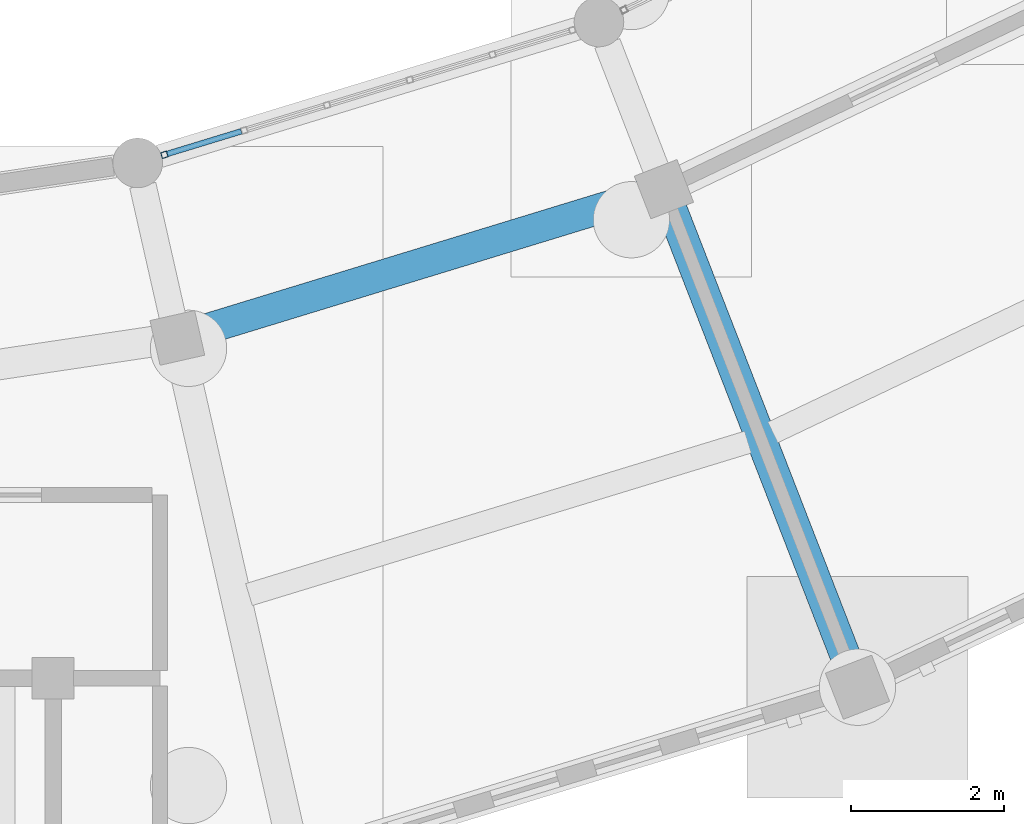
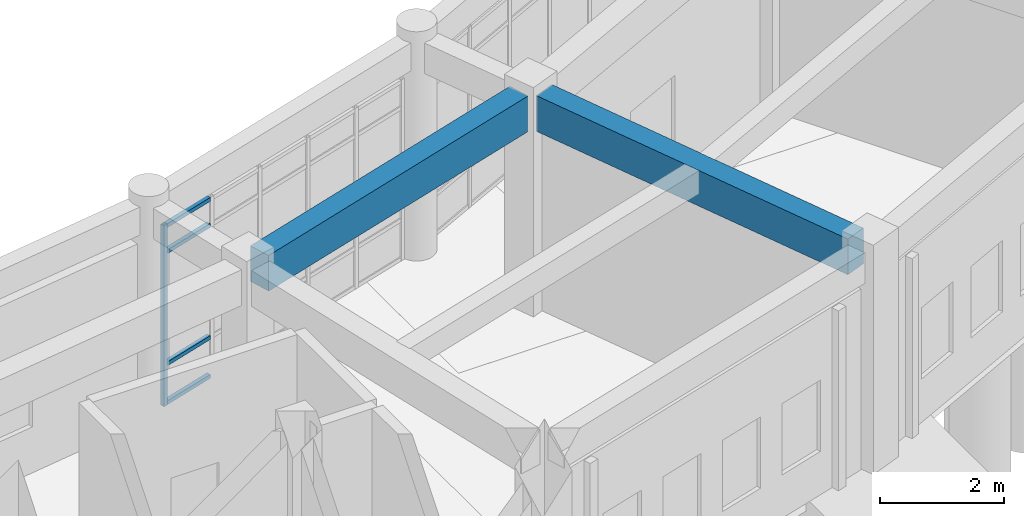
# One storey, part 43 of 153: 5 members, 2 beams, 1 element without a shape of its own.
"""IFC4 building model written with IfcOpenShell, lengths in metres."""

from ifc_helpers import new_model, si_unit, direction, frame, origin, origin_2d, place, context, subcontext, project, spatial, rectangle, hollow_rectangle, extrude, material, material_profile, profile_set, type_object, element, aggregate, save


model = new_model("IFC4")

# Units and contexts
model_context = context("Model", 3, precision=1e-05, world=origin(), true_north=direction((0.0, 1.0)))
body_context = subcontext(model_context, "Body", "Model", "MODEL_VIEW")
ifc_project = project(units=[si_unit("LENGTHUNIT", "METRE"), si_unit("AREAUNIT", "SQUARE_METRE"), si_unit("VOLUMEUNIT", "CUBIC_METRE"), si_unit("PLANEANGLEUNIT", "RADIAN"), si_unit("MASSUNIT", "GRAM", prefix="KILO")], contexts=[model_context])

# Site, building, storey
site_placement = place(None, origin())
site = spatial("IfcSite", under=ifc_project, at=site_placement, CompositionType="ELEMENT")
building_placement = place(site_placement, origin())
building = spatial("IfcBuilding", under=site, at=building_placement, Name="Celadon Cloister-Ring School", CompositionType="ELEMENT")
storey_placement = place(building_placement, origin())
storey = spatial("IfcBuildingStorey", under=building, at=storey_placement, Name="L00", CompositionType="ELEMENT", Elevation=0.0)

# Curtain wall, members
ifc_material_1 = material(Name="Aluminium EN AW-6063 T6", Category="aluminium")
curtain_wall_type = type_object("IfcCurtainWallType", Name="CW-01", PredefinedType="USERDEFINED", material=ifc_material_1)
curtain_wall_placement = place(storey_placement, origin())
curtain_wall = element("IfcCurtainWall", 1, at=curtain_wall_placement, inside=storey, type_object=curtain_wall_type, Name="Curtain Wall 0011", ObjectType="CURTAIN WALL", PredefinedType="USERDEFINED")
ifc_material_2 = material(Name="Aluminium EN AW-6063 T6", Category="aluminium")
ifc_material_profile_1 = material_profile(ifc_material_2, hollow_rectangle(XDim=0.080078125, YDim=0.080078125, WallThickness=0.00390625, at=origin_2d()), Name="RHS80X80X4")
ifc_profile_set_1 = profile_set([ifc_material_profile_1], Name="Aluminium EN AW-6063 T6")
member_type_1 = type_object("IfcMemberType", Name="CM-03", PredefinedType="MULLION", material=ifc_profile_set_1)
member_1_placement = place(storey_placement, frame((96.75732421875, 17.507568359375, 0.0), z_axis=(0.0, 0.0, 1.0), x_axis=(-0.2921513036, 0.956372111578, 0.0)))
member_1 = element("IfcMember", 2, at=member_1_placement, type_object=member_type_1, Name="CW-01 mullion 1", PredefinedType="MULLION", context=body_context, shape_type="SweptSolid", body=[
    extrude(hollow_rectangle(XDim=0.080078125, YDim=0.080078125, WallThickness=0.00390625, at=origin_2d()), origin(), (0.0, 0.0, 1.0), 3.550048828125),
])
ifc_material_3 = material(Name="Aluminium EN AW-6063 T6", Category="aluminium")
ifc_material_profile_2 = material_profile(ifc_material_3, hollow_rectangle(XDim=0.074951171875, YDim=0.074951171875, WallThickness=0.00390625, at=origin_2d()), Name="RHS75X75X4")
ifc_profile_set_2 = profile_set([ifc_material_profile_2], Name="Aluminium EN AW-6063 T6")
member_type_2 = type_object("IfcMemberType", Name="CTM-03", PredefinedType="USERDEFINED", material=ifc_profile_set_2)
member_2_placement = place(storey_placement, frame((96.79541015625, 17.519287109375, 0.03759765625), z_axis=(0.956375872703, 0.292138991083, 0.0), x_axis=(-0.292138991083, 0.956375872703, 0.0)))
member_2 = element("IfcMember", 3, at=member_2_placement, type_object=member_type_2, Name="CW-01 transom 1.1", ObjectType="TRANSOM", PredefinedType="USERDEFINED", context=body_context, shape_type="SweptSolid", body=[
    extrude(hollow_rectangle(XDim=0.074951171875, YDim=0.074951171875, WallThickness=0.00390625, at=origin_2d()), origin(), (0.0, 0.0, 1.0), 1.013671875),
])
member_3_placement = place(storey_placement, frame((96.79541015625, 17.519287109375, 0.800048828125), z_axis=(0.956375872703, 0.292138991083, 0.0), x_axis=(-0.292138991083, 0.956375872703, 0.0)))
member_3 = element("IfcMember", 4, at=member_3_placement, type_object=member_type_2, Name="CW-01 transom 1.2", ObjectType="TRANSOM", PredefinedType="USERDEFINED", context=body_context, shape_type="SweptSolid", body=[
    extrude(hollow_rectangle(XDim=0.074951171875, YDim=0.074951171875, WallThickness=0.00390625, at=origin_2d()), origin(), (0.0, 0.0, 1.0), 1.013671875),
])
member_4_placement = place(storey_placement, frame((96.79541015625, 17.519287109375, 3.0), z_axis=(0.956375872703, 0.292138991083, 0.0), x_axis=(-0.292138991083, 0.956375872703, 0.0)))
member_4 = element("IfcMember", 5, at=member_4_placement, type_object=member_type_2, Name="CW-01 transom 1.3", ObjectType="TRANSOM", PredefinedType="USERDEFINED", context=body_context, shape_type="SweptSolid", body=[
    extrude(hollow_rectangle(XDim=0.074951171875, YDim=0.074951171875, WallThickness=0.00390625, at=origin_2d()), origin(), (0.0, 0.0, 1.0), 1.013671875),
])
member_5_placement = place(storey_placement, frame((96.79541015625, 17.519287109375, 3.512451171875), z_axis=(0.956375872703, 0.292138991083, 0.0), x_axis=(-0.292138991083, 0.956375872703, 0.0)))
member_5 = element("IfcMember", 6, at=member_5_placement, type_object=member_type_2, Name="CW-01 transom 1.4", ObjectType="TRANSOM", PredefinedType="USERDEFINED", context=body_context, shape_type="SweptSolid", body=[
    extrude(hollow_rectangle(XDim=0.074951171875, YDim=0.074951171875, WallThickness=0.00390625, at=origin_2d()), origin(), (0.0, 0.0, 1.0), 1.013671875),
])
aggregate(curtain_wall, [member_1, member_2, member_3, member_4, member_5])

# Beams
ifc_material_4 = material(Name="Concrete C35/45", Category="concrete")
ifc_material_profile_3 = material_profile(ifc_material_4, rectangle(XDim=0.39990234375, YDim=0.699951171875, at=origin_2d()), Name="RC400X700")
ifc_profile_set_3 = profile_set([ifc_material_profile_3], Name="Concrete C35/45")
beam_type = type_object("IfcBeamType", Name="GT-03", PredefinedType="USERDEFINED", material=ifc_profile_set_3)
beam_1_placement = place(storey_placement, frame((105.72900390625, 10.81201171875, 3.929931640625), z_axis=(-0.36215469114, 0.932118007382, 0.0), x_axis=(-0.932118007382, -0.36215469114, 0.0)))
element("IfcBeam", 7, at=beam_1_placement, inside=storey, type_object=beam_type, Name="Beam 0038", ObjectType="GIRDER", PredefinedType="USERDEFINED", context=body_context, shape_type="SweptSolid", body=[
    extrude(rectangle(XDim=0.39990234375, YDim=0.699951171875, at=origin_2d()), origin(), (0.0, 0.0, 1.0), 6.425048828125),
])
beam_2_placement = place(storey_placement, frame((97.18994140625, 15.18896484375, 3.929931640625), z_axis=(0.956312519562, 0.292346309929, 0.0), x_axis=(-0.292346309929, 0.956312519562, 0.0)))
element("IfcBeam", 8, at=beam_2_placement, inside=storey, type_object=beam_type, Name="Beam 0138", ObjectType="GIRDER", PredefinedType="USERDEFINED", context=body_context, shape_type="SweptSolid", body=[
    extrude(rectangle(XDim=0.39990234375, YDim=0.699951171875, at=origin_2d()), origin(), (0.0, 0.0, 1.0), 6.1162109375),
])

save(model, "model.ifc")
